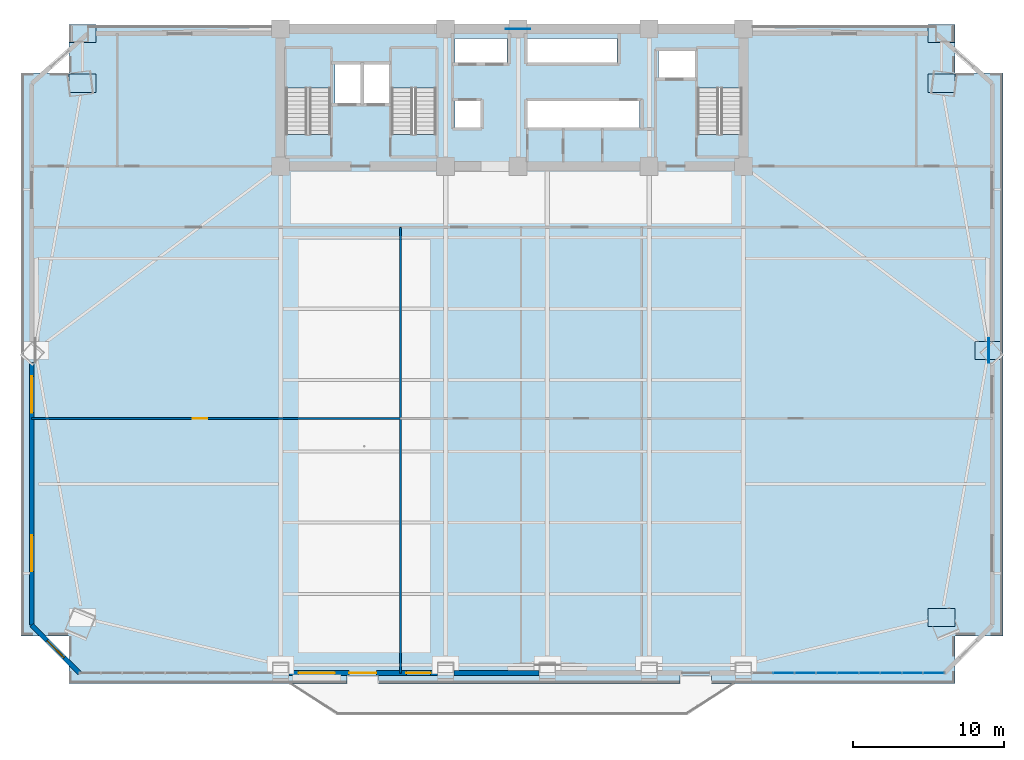
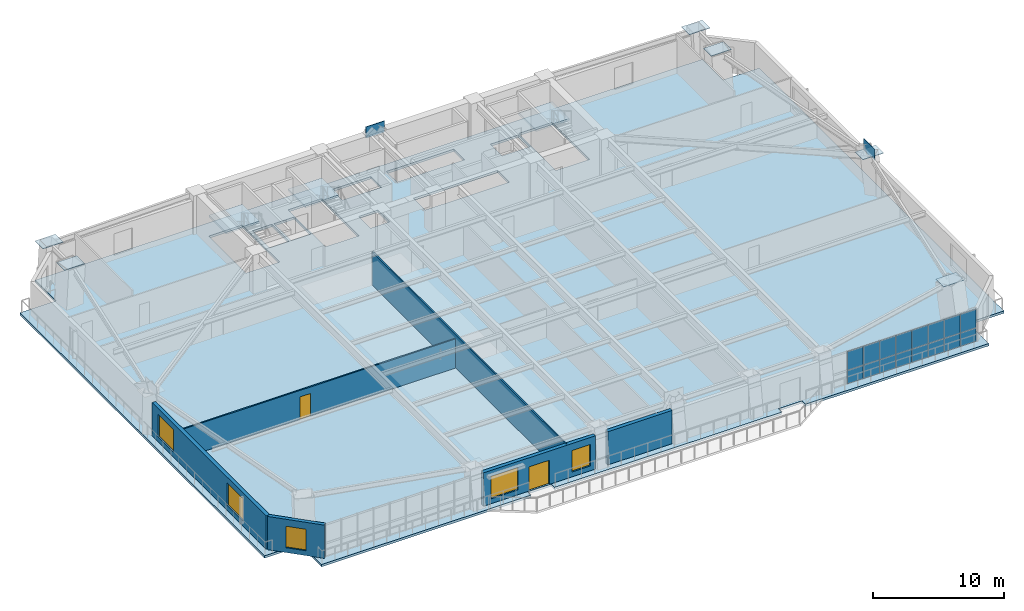
# One storey, part 8 of 17: 24 plates, 6 walls, 5 windows, 4 slabs, 2 doors, 7 openings, 4 elements without a shape of their own.
"""IFC4 building model written with IfcOpenShell, lengths in metres."""

from ifc_helpers import new_model, si_unit, direction, frame, frame_2d, origin, origin_2d, place, context, subcontext, project, spatial, polyline, rectangle, outline, extrude, source, transform, mapped, material, layer, layer_set, type_object, element, fill, aggregate, save


model = new_model("IFC4")

# Units and contexts
model_context = context("Model", 3, precision=1e-05, world=origin(), true_north=direction((0.0, 1.0)))
body_context = subcontext(model_context, "Body", "Model", "MODEL_VIEW")
ifc_project = project(units=[si_unit("LENGTHUNIT", "METRE"), si_unit("AREAUNIT", "SQUARE_METRE"), si_unit("VOLUMEUNIT", "CUBIC_METRE"), si_unit("PLANEANGLEUNIT", "RADIAN"), si_unit("MASSUNIT", "GRAM", prefix="KILO")], contexts=[model_context])

# Site, building, storey
site_placement = place(None, origin())
site = spatial("IfcSite", under=ifc_project, at=site_placement, CompositionType="ELEMENT")
building_placement = place(site_placement, origin())
building = spatial("IfcBuilding", under=site, at=building_placement, Name="Giltprow Tower", CompositionType="ELEMENT")
storey_placement = place(building_placement, frame((0.0, 0.0, 44.89990234375)))
storey = spatial("IfcBuildingStorey", under=building, at=storey_placement, Name="L11", CompositionType="ELEMENT", Elevation=44.89990234375)

# Slab
ifc_material_1 = material(Name="Concrete C40", Category="concrete")
ifc_layer_1 = layer(ifc_material_1, 0.219970703125, Name="Concrete C40")
ifc_layer_set_1 = layer_set([ifc_layer_1], Name="Concrete C40")
slab_type_1 = type_object("IfcSlabType", Name="SLB-OFF-220", PredefinedType="FLOOR", material=ifc_layer_set_1)
slab_1_placement = place(storey_placement, frame((0.0, 0.0, -0.219970703125)))
element("IfcSlab", 1, at=slab_1_placement, inside=storey, type_object=slab_type_1, Name="L11 Structural Composite Floor Slab", PredefinedType="FLOOR", context=body_context, shape_type="SweptSolid", body=[
    extrude(outline(polyline([(5.80908203125, 3.126953125), (5.80908203125, 6.300048828125), (2.635009765625, 6.300048828125), (2.635009765625, 43.6259765625), (5.80908203125, 43.6259765625), (5.80908203125, 46.800048828125), (64.591064453125, 46.800048828125), (64.591064453125, 43.6259765625), (67.764892578125, 43.6259765625), (67.764892578125, 6.300048828125), (64.591064453125, 6.300048828125), (64.591064453125, 3.126953125), (48.449951171875, 3.126953125), (48.449951171875, 3.64697265625), (46.35009765625, 3.64697265625), (46.35009765625, 3.126953125), (26.35009765625, 3.126953125), (26.35009765625, 3.64697265625), (24.25, 3.64697265625), (24.25, 3.126953125), (5.80908203125, 3.126953125)]), holes=[polyline([(33.10009765625, 41.800048828125), (31.419921875, 41.800048828125), (31.419921875, 40.0), (33.10009765625, 40.0), (33.10009765625, 41.800048828125)]), polyline([(23.159912109375, 39.570068359375), (23.159912109375, 45.25), (20.199951171875, 45.25), (20.199951171875, 39.570068359375), (23.159912109375, 39.570068359375)]), polyline([(30.159912109375, 45.25), (27.199951171875, 45.25), (27.199951171875, 39.570068359375), (30.159912109375, 39.570068359375), (30.159912109375, 45.25)]), polyline([(25.169921875, 41.60009765625), (25.169921875, 44.199951171875), (23.449951171875, 44.199951171875), (23.449951171875, 41.60009765625), (25.169921875, 41.60009765625)]), polyline([(27.10009765625, 41.60009765625), (27.10009765625, 44.199951171875), (25.35009765625, 44.199951171875), (25.35009765625, 41.60009765625), (27.10009765625, 41.60009765625)]), polyline([(43.659912109375, 40.0), (43.659912109375, 41.800048828125), (36.239990234375, 41.800048828125), (36.239990234375, 40.0), (43.659912109375, 40.0)]), polyline([(50.4599609375, 39.570068359375), (50.4599609375, 45.25), (47.5, 45.25), (47.5, 39.570068359375), (50.4599609375, 39.570068359375)]), polyline([(47.3798828125, 45.10009765625), (44.919921875, 45.10009765625), (44.919921875, 43.300048828125), (47.3798828125, 43.300048828125), (47.3798828125, 45.10009765625)]), polyline([(34.8798828125, 44.300048828125), (34.8798828125, 45.919921875), (31.419921875, 45.919921875), (31.419921875, 44.300048828125), (34.8798828125, 44.300048828125)]), polyline([(42.169921875, 44.300048828125), (42.169921875, 45.919921875), (36.239990234375, 45.919921875), (36.239990234375, 44.300048828125), (42.169921875, 44.300048828125)])]), origin(), (0.0, 0.0, 1.0), 0.219970703125),
])

# Stair, slab
stair_type_1 = type_object("IfcStairType", Name="STR-ST-1", PredefinedType="HALF_TURN_STAIR", material=ifc_material_1)
stair_1_placement = place(storey_placement, origin())
stair_1 = element("IfcStair", 2, at=stair_1_placement, inside=storey, type_object=stair_type_1, Name="L11 Core Exit Stair ST-1", PredefinedType="HALF_TURN_STAIR")
ifc_layer_2 = layer(ifc_material_1, 0.179931640625, Name="Concrete C40")
ifc_layer_set_2 = layer_set([ifc_layer_2], Name="Concrete C40")
slab_type_2 = type_object("IfcSlabType", Name="SLD-ST-1", PredefinedType="LANDING", material=ifc_layer_set_2)
slab_2_placement = place(storey_placement, frame((0.0, 0.0, 1.77001953125)))
slab_2 = element("IfcSlab", 3, at=slab_2_placement, type_object=slab_type_2, Name="ST-1 landing 1", PredefinedType="LANDING", context=body_context, shape_type="SweptSolid", body=[
    extrude(outline(polyline([(23.159912109375, 42.6298828125), (23.159912109375, 45.25), (20.199951171875, 45.25), (20.199951171875, 42.6298828125), (23.159912109375, 42.6298828125)])), origin(), (0.0, 0.0, 1.0), 0.18017578125),
])
aggregate(stair_1, [slab_2])

stair_type_2 = type_object("IfcStairType", Name="STR-ST-2", PredefinedType="HALF_TURN_STAIR", material=ifc_material_1)
stair_2_placement = place(storey_placement, origin())
stair_2 = element("IfcStair", 4, at=stair_2_placement, inside=storey, type_object=stair_type_2, Name="L11 Core Exit Stair ST-2", PredefinedType="HALF_TURN_STAIR")
ifc_layer_3 = layer(ifc_material_1, 0.18798828125, Name="Concrete C40")
ifc_layer_set_3 = layer_set([ifc_layer_3], Name="Concrete C40")
slab_type_3 = type_object("IfcSlabType", Name="SLD-ST-2", PredefinedType="LANDING", material=ifc_layer_set_3)
slab_3_placement = place(storey_placement, frame((0.0, 0.0, 1.76220703125)))
slab_3 = element("IfcSlab", 5, at=slab_3_placement, type_object=slab_type_3, Name="ST-2 landing 1", PredefinedType="LANDING", context=body_context, shape_type="SweptSolid", body=[
    extrude(outline(polyline([(30.159912109375, 42.6298828125), (30.159912109375, 45.25), (27.199951171875, 45.25), (27.199951171875, 42.6298828125), (30.159912109375, 42.6298828125)])), origin(), (0.0, 0.0, 1.0), 0.18798828125),
])
aggregate(stair_2, [slab_3])

stair_type_3 = type_object("IfcStairType", Name="STR-ST-3", PredefinedType="HALF_TURN_STAIR", material=ifc_material_1)
stair_3_placement = place(storey_placement, origin())
stair_3 = element("IfcStair", 6, at=stair_3_placement, inside=storey, type_object=stair_type_3, Name="L11 Core Exit Stair ST-3", PredefinedType="HALF_TURN_STAIR")
ifc_layer_4 = layer(ifc_material_1, 0.196044921875, Name="Concrete C40")
ifc_layer_set_4 = layer_set([ifc_layer_4], Name="Concrete C40")
slab_type_4 = type_object("IfcSlabType", Name="SLD-ST-3", PredefinedType="LANDING", material=ifc_layer_set_4)
slab_4_placement = place(storey_placement, frame((0.0, 0.0, 1.754150390625)))
slab_4 = element("IfcSlab", 7, at=slab_4_placement, type_object=slab_type_4, Name="ST-3 landing 1", PredefinedType="LANDING", context=body_context, shape_type="SweptSolid", body=[
    extrude(outline(polyline([(50.4599609375, 42.6298828125), (50.4599609375, 45.25), (47.5, 45.25), (47.5, 42.6298828125), (50.4599609375, 42.6298828125)])), origin(), (0.0, 0.0, 1.0), 0.196044921875),
])
aggregate(stair_3, [slab_4])

# Plates
ifc_material_2 = material(Name="Structural steel Q420GJC", Category="steel")
plate_type_1 = type_object("IfcPlateType", Name="PLT-NODE-CKN1", PredefinedType="USERDEFINED", material=ifc_material_2)
shared_shape_1 = source(origin(), body_context, "Body", "SweptSolid", [
    extrude(rectangle(XDim=1.800048828125, YDim=1.199951171875, at=origin_2d()), origin(), (0.0, 0.0, 1.0), 0.044921875),
])
for number, where, z_axis, x_axis, name in (
    (8, (63.681884765625, 7.501953125, 3.57763671875), (0.0, 0.0, 1.0), (1.0, 0.0, 0.0), "CKN1 Column Taper Splice Node L11-MC_SE"),
    (9, (6.718017578125, 42.951904296875, 3.57763671875), (0.0, 0.0, 1.0), (1.0, 0.0, 0.0), "CKN1 Column Taper Splice Node L11-MC_NW"),
    (10, (63.681884765625, 42.951904296875, 3.57763671875), (0.0, 0.0, 1.0), (1.0, 0.0, 0.0), "CKN1 Column Taper Splice Node L11-MC_NE"),
    (11, (66.830078125, 25.22705078125, 3.57763671875), (0.0, 0.0, 1.0), (1.0, 0.0, 0.0), "CKN1 Column Taper Splice Node L11-E_MID"),
    (12, (6.718017578125, 46.25, 3.57763671875), (0.0, 0.0, 1.0), (1.0, 0.0, 0.0), "CKN1 Column Taper Splice Node L11-N_W"),
    (13, (63.681884765625, 46.25, 3.57763671875), (0.0, 0.0, 1.0), (1.0, 0.0, 0.0), "CKN1 Column Taper Splice Node L11-N_E"),
):
    element("IfcPlate", number, at=place(storey_placement, frame(where, z_axis=z_axis, x_axis=x_axis)), inside=storey, type_object=plate_type_1, Name=name, ObjectType="SPLICE", PredefinedType="USERDEFINED", context=body_context, shape_type="MappedRepresentation", body=[
        mapped(shared_shape_1, transform((0.0, 0.0, 0.0), x_axis=(1.0, 0.0, 0.0), y_axis=(0.0, 1.0, 0.0), z_axis=(0.0, 0.0, 1.0), scale=1.0)),
    ])
plate_type_2 = type_object("IfcPlateType", Name="PLT-NODE-MBN2", PredefinedType="USERDEFINED", material=ifc_material_2)
shared_shape_2 = source(origin(), body_context, "Body", "SweptSolid", [
    extrude(rectangle(XDim=1.64990234375, YDim=0.044921875, at=origin_2d()), origin(), (0.0, 0.0, 1.0), 1.050048828125),
])
for number, where, z_axis, x_axis, name in (
    (14, (35.60009765625, 46.550048828125, 3.23486328125), (0.0, 0.0, 1.0), (1.0, 0.0, 0.0), "Mega-Brace Node L11-N-LB"),
    (15, (66.830078125, 25.22705078125, 3.375), (0.0, 0.0, 1.0), (0.0, 1.0, 0.0), "Mega-Brace Node L11-E-RB"),
):
    element("IfcPlate", number, at=place(storey_placement, frame(where, z_axis=z_axis, x_axis=x_axis)), inside=storey, type_object=plate_type_2, Name=name, ObjectType="GUSSET", PredefinedType="USERDEFINED", context=body_context, shape_type="MappedRepresentation", body=[
        mapped(shared_shape_2, transform((0.0, 0.0, 0.0), x_axis=(1.0, 0.0, 0.0), y_axis=(0.0, 1.0, 0.0), z_axis=(0.0, 0.0, 1.0), scale=1.0)),
    ])

# Curtain wall, plates
ifc_material_3 = material(Name="Anodized bronze", Category="metal")
ifc_layer_5 = layer(ifc_material_3, 0.179931640625, Name="Anodized bronze")
ifc_layer_set_5 = layer_set([ifc_layer_5], Name="Anodized bronze")
curtain_wall_type = type_object("IfcCurtainWallType", Name="CW-OFF-RECESSED", PredefinedType="NOTDEFINED", material=ifc_layer_set_5)
curtain_wall_placement = place(storey_placement, origin())
curtain_wall = element("IfcCurtainWall", 16, at=curtain_wall_placement, inside=storey, type_object=curtain_wall_type, Name="L11 South Recessed Curtain Wall 6", PredefinedType="NOTDEFINED")
ifc_material_4 = material(Name="Insulated glass", Category="glass")
plate_type_3 = type_object("IfcPlateType", Name="CW-PANEL-IGU-28", PredefinedType="CURTAIN_PANEL", material=ifc_material_4)
shared_shape_3 = source(origin(), body_context, "Body", "SweptSolid", [
    extrude(rectangle(XDim=1.39111328125, YDim=0.028076171875, at=origin_2d()), origin(), (0.0, 0.0, 1.0), 1.23388671875),
])
plate_1_placement = place(storey_placement, frame((53.23193359375, 3.826904296875, 0.05419921875), z_axis=(0.0, 0.0, 1.0), x_axis=(1.0, 0.0, 0.0)))
plate_1 = element("IfcPlate", 17, at=plate_1_placement, type_object=plate_type_3, Name="L11 South Recessed Curtain Wall 6 Glazing Panel 2-1", PredefinedType="CURTAIN_PANEL", context=body_context, shape_type="MappedRepresentation", body=[
    mapped(shared_shape_3, transform((0.0, 0.0, 0.0), x_axis=(1.0, 0.0, 0.0), y_axis=(0.0, 1.0, 0.0), z_axis=(0.0, 0.0, 1.0), scale=1.0)),
])
plate_2_placement = place(storey_placement, frame((54.653076171875, 3.826904296875, 0.05419921875), z_axis=(0.0, 0.0, 1.0), x_axis=(1.0, 0.0, 0.0)))
plate_2 = element("IfcPlate", 18, at=plate_2_placement, type_object=plate_type_3, Name="L11 South Recessed Curtain Wall 6 Glazing Panel 3-1", PredefinedType="CURTAIN_PANEL", context=body_context, shape_type="MappedRepresentation", body=[
    mapped(shared_shape_3, transform((0.0, 0.0, 0.0), x_axis=(1.0, 0.0, 0.0), y_axis=(0.0, 1.0, 0.0), z_axis=(0.0, 0.0, 1.0), scale=1.0)),
])
plate_3_placement = place(storey_placement, frame((56.073974609375, 3.826904296875, 0.05419921875), z_axis=(0.0, 0.0, 1.0), x_axis=(1.0, 0.0, 0.0)))
plate_3 = element("IfcPlate", 19, at=plate_3_placement, type_object=plate_type_3, Name="L11 South Recessed Curtain Wall 6 Glazing Panel 4-1", PredefinedType="CURTAIN_PANEL", context=body_context, shape_type="MappedRepresentation", body=[
    mapped(shared_shape_3, transform((0.0, 0.0, 0.0), x_axis=(1.0, 0.0, 0.0), y_axis=(0.0, 1.0, 0.0), z_axis=(0.0, 0.0, 1.0), scale=1.0)),
])
plate_4_placement = place(storey_placement, frame((57.4951171875, 3.826904296875, 0.05419921875), z_axis=(0.0, 0.0, 1.0), x_axis=(1.0, 0.0, 0.0)))
plate_4 = element("IfcPlate", 20, at=plate_4_placement, type_object=plate_type_3, Name="L11 South Recessed Curtain Wall 6 Glazing Panel 5-1", PredefinedType="CURTAIN_PANEL", context=body_context, shape_type="MappedRepresentation", body=[
    mapped(shared_shape_3, transform((0.0, 0.0, 0.0), x_axis=(1.0, 0.0, 0.0), y_axis=(0.0, 1.0, 0.0), z_axis=(0.0, 0.0, 1.0), scale=1.0)),
])
plate_5_placement = place(storey_placement, frame((58.9169921875, 3.826904296875, 0.05419921875), z_axis=(0.0, 0.0, 1.0), x_axis=(1.0, 0.0, 0.0)))
plate_5 = element("IfcPlate", 21, at=plate_5_placement, type_object=plate_type_3, Name="L11 South Recessed Curtain Wall 6 Glazing Panel 6-1", PredefinedType="CURTAIN_PANEL", context=body_context, shape_type="MappedRepresentation", body=[
    mapped(shared_shape_3, transform((0.0, 0.0, 0.0), x_axis=(1.0, 0.0, 0.0), y_axis=(0.0, 1.0, 0.0), z_axis=(0.0, 0.0, 1.0), scale=1.0)),
])
plate_6_placement = place(storey_placement, frame((60.337890625, 3.826904296875, 0.05419921875), z_axis=(0.0, 0.0, 1.0), x_axis=(1.0, 0.0, 0.0)))
plate_6 = element("IfcPlate", 22, at=plate_6_placement, type_object=plate_type_3, Name="L11 South Recessed Curtain Wall 6 Glazing Panel 7-1", PredefinedType="CURTAIN_PANEL", context=body_context, shape_type="MappedRepresentation", body=[
    mapped(shared_shape_3, transform((0.0, 0.0, 0.0), x_axis=(1.0, 0.0, 0.0), y_axis=(0.0, 1.0, 0.0), z_axis=(0.0, 0.0, 1.0), scale=1.0)),
])
plate_7_placement = place(storey_placement, frame((61.759033203125, 3.826904296875, 0.05419921875), z_axis=(0.0, 0.0, 1.0), x_axis=(1.0, 0.0, 0.0)))
plate_7 = element("IfcPlate", 23, at=plate_7_placement, type_object=plate_type_3, Name="L11 South Recessed Curtain Wall 6 Glazing Panel 8-1", PredefinedType="CURTAIN_PANEL", context=body_context, shape_type="MappedRepresentation", body=[
    mapped(shared_shape_3, transform((0.0, 0.0, 0.0), x_axis=(1.0, 0.0, 0.0), y_axis=(0.0, 1.0, 0.0), z_axis=(0.0, 0.0, 1.0), scale=1.0)),
])
plate_8_placement = place(storey_placement, frame((63.179931640625, 3.826904296875, 0.05419921875), z_axis=(0.0, 0.0, 1.0), x_axis=(1.0, 0.0, 0.0)))
plate_8 = element("IfcPlate", 24, at=plate_8_placement, type_object=plate_type_3, Name="L11 South Recessed Curtain Wall 6 Glazing Panel 9-1", PredefinedType="CURTAIN_PANEL", context=body_context, shape_type="MappedRepresentation", body=[
    mapped(shared_shape_3, transform((0.0, 0.0, 0.0), x_axis=(1.0, 0.0, 0.0), y_axis=(0.0, 1.0, 0.0), z_axis=(0.0, 0.0, 1.0), scale=1.0)),
])
shared_shape_4 = source(origin(), body_context, "Body", "SweptSolid", [
    extrude(rectangle(XDim=1.39111328125, YDim=0.028076171875, at=origin_2d()), origin(), (0.0, 0.0, 1.0), 1.72998046875),
])
plate_9_placement = place(storey_placement, frame((53.23193359375, 3.826904296875, 1.316162109375), z_axis=(0.0, 0.0, 1.0), x_axis=(1.0, 0.0, 0.0)))
plate_9 = element("IfcPlate", 25, at=plate_9_placement, type_object=plate_type_3, Name="L11 South Recessed Curtain Wall 6 Glazing Panel 2-2", PredefinedType="CURTAIN_PANEL", context=body_context, shape_type="MappedRepresentation", body=[
    mapped(shared_shape_4, transform((0.0, 0.0, 0.0), x_axis=(1.0, 0.0, 0.0), y_axis=(0.0, 1.0, 0.0), z_axis=(0.0, 0.0, 1.0), scale=1.0)),
])
plate_10_placement = place(storey_placement, frame((54.653076171875, 3.826904296875, 1.316162109375), z_axis=(0.0, 0.0, 1.0), x_axis=(1.0, 0.0, 0.0)))
plate_10 = element("IfcPlate", 26, at=plate_10_placement, type_object=plate_type_3, Name="L11 South Recessed Curtain Wall 6 Glazing Panel 3-2", PredefinedType="CURTAIN_PANEL", context=body_context, shape_type="MappedRepresentation", body=[
    mapped(shared_shape_4, transform((0.0, 0.0, 0.0), x_axis=(1.0, 0.0, 0.0), y_axis=(0.0, 1.0, 0.0), z_axis=(0.0, 0.0, 1.0), scale=1.0)),
])
plate_11_placement = place(storey_placement, frame((56.073974609375, 3.826904296875, 1.316162109375), z_axis=(0.0, 0.0, 1.0), x_axis=(1.0, 0.0, 0.0)))
plate_11 = element("IfcPlate", 27, at=plate_11_placement, type_object=plate_type_3, Name="L11 South Recessed Curtain Wall 6 Glazing Panel 4-2", PredefinedType="CURTAIN_PANEL", context=body_context, shape_type="MappedRepresentation", body=[
    mapped(shared_shape_4, transform((0.0, 0.0, 0.0), x_axis=(1.0, 0.0, 0.0), y_axis=(0.0, 1.0, 0.0), z_axis=(0.0, 0.0, 1.0), scale=1.0)),
])
plate_12_placement = place(storey_placement, frame((57.4951171875, 3.826904296875, 1.316162109375), z_axis=(0.0, 0.0, 1.0), x_axis=(1.0, 0.0, 0.0)))
plate_12 = element("IfcPlate", 28, at=plate_12_placement, type_object=plate_type_3, Name="L11 South Recessed Curtain Wall 6 Glazing Panel 5-2", PredefinedType="CURTAIN_PANEL", context=body_context, shape_type="MappedRepresentation", body=[
    mapped(shared_shape_4, transform((0.0, 0.0, 0.0), x_axis=(1.0, 0.0, 0.0), y_axis=(0.0, 1.0, 0.0), z_axis=(0.0, 0.0, 1.0), scale=1.0)),
])
plate_13_placement = place(storey_placement, frame((58.9169921875, 3.826904296875, 1.316162109375), z_axis=(0.0, 0.0, 1.0), x_axis=(1.0, 0.0, 0.0)))
plate_13 = element("IfcPlate", 29, at=plate_13_placement, type_object=plate_type_3, Name="L11 South Recessed Curtain Wall 6 Glazing Panel 6-2", PredefinedType="CURTAIN_PANEL", context=body_context, shape_type="MappedRepresentation", body=[
    mapped(shared_shape_4, transform((0.0, 0.0, 0.0), x_axis=(1.0, 0.0, 0.0), y_axis=(0.0, 1.0, 0.0), z_axis=(0.0, 0.0, 1.0), scale=1.0)),
])
plate_14_placement = place(storey_placement, frame((60.337890625, 3.826904296875, 1.316162109375), z_axis=(0.0, 0.0, 1.0), x_axis=(1.0, 0.0, 0.0)))
plate_14 = element("IfcPlate", 30, at=plate_14_placement, type_object=plate_type_3, Name="L11 South Recessed Curtain Wall 6 Glazing Panel 7-2", PredefinedType="CURTAIN_PANEL", context=body_context, shape_type="MappedRepresentation", body=[
    mapped(shared_shape_4, transform((0.0, 0.0, 0.0), x_axis=(1.0, 0.0, 0.0), y_axis=(0.0, 1.0, 0.0), z_axis=(0.0, 0.0, 1.0), scale=1.0)),
])
plate_15_placement = place(storey_placement, frame((61.759033203125, 3.826904296875, 1.316162109375), z_axis=(0.0, 0.0, 1.0), x_axis=(1.0, 0.0, 0.0)))
plate_15 = element("IfcPlate", 31, at=plate_15_placement, type_object=plate_type_3, Name="L11 South Recessed Curtain Wall 6 Glazing Panel 8-2", PredefinedType="CURTAIN_PANEL", context=body_context, shape_type="MappedRepresentation", body=[
    mapped(shared_shape_4, transform((0.0, 0.0, 0.0), x_axis=(1.0, 0.0, 0.0), y_axis=(0.0, 1.0, 0.0), z_axis=(0.0, 0.0, 1.0), scale=1.0)),
])
plate_16_placement = place(storey_placement, frame((63.179931640625, 3.826904296875, 1.316162109375), z_axis=(0.0, 0.0, 1.0), x_axis=(1.0, 0.0, 0.0)))
plate_16 = element("IfcPlate", 32, at=plate_16_placement, type_object=plate_type_3, Name="L11 South Recessed Curtain Wall 6 Glazing Panel 9-2", PredefinedType="CURTAIN_PANEL", context=body_context, shape_type="MappedRepresentation", body=[
    mapped(shared_shape_4, transform((0.0, 0.0, 0.0), x_axis=(1.0, 0.0, 0.0), y_axis=(0.0, 1.0, 0.0), z_axis=(0.0, 0.0, 1.0), scale=1.0)),
])
aggregate(curtain_wall, [plate_1, plate_9, plate_2, plate_10, plate_3, plate_11, plate_4, plate_12, plate_5, plate_13, plate_6, plate_14, plate_7, plate_15, plate_8, plate_16])

# Wall, opening, window
ifc_material_5 = material(Name="Precast concrete C40", Category="concrete")
ifc_layer_6 = layer(ifc_material_5, 0.300048828125, Name="Precast concrete C40")
ifc_layer_set_6 = layer_set([ifc_layer_6], Name="Precast concrete C40")
wall_type_1 = type_object("IfcWallType", Name="EW-NOTCH-CHAMFER-300", PredefinedType="SOLIDWALL", material=ifc_layer_set_6)
wall_1_placement = place(storey_placement, frame((3.3349609375, 7.0009765625, 0.0), z_axis=(0.0, 0.0, 1.0), x_axis=(0.707106781187, -0.707106781187, 0.0)))
wall_1 = element("IfcWall", 33, at=wall_1_placement, inside=storey, type_object=wall_type_1, Name="L11 Corner Notch Wall SW", PredefinedType="SOLIDWALL", context=body_context, shape_type="SweptSolid", body=[
    extrude(rectangle(XDim=4.48876953125, YDim=0.300048828125, at=frame_2d((2.244384765625, 0.0))), origin(), (0.0, 0.0, 1.0), 3.10009765625),
])
opening_1_placement = place(wall_1_placement, frame((1.444091796875, 0.0, 0.449951171875)))
opening_1 = element("IfcOpeningElement", 34, at=opening_1_placement, cuts=wall_1, Name="Opening WN17", PredefinedType="OPENING", context=body_context, shape_type="SweptSolid", body=[
    extrude(rectangle(XDim=1.60009765625, YDim=2.0, at=frame_2d((0.800048828125, 1.0))), frame((0.0, 0.159912109375, 0.0), z_axis=(0.0, -1.0, 0.0), x_axis=(1.0, 0.0, 0.0)), (0.0, 0.0, 1.0), 0.320068359375),
])
window_type_1 = type_object("IfcWindowType", Name="WN-COR-1600x2000", PartitioningType="SINGLE_PANEL", PredefinedType="WINDOW", material=ifc_material_4)
shared_shape_5 = source(origin(), body_context, "Body", "SweptSolid", [
    extrude(rectangle(XDim=1.60009765625, YDim=2.0, at=frame_2d((0.800048828125, 1.0))), frame((0.0, 0.030029296875, 0.0), z_axis=(0.0, -1.0, 0.0), x_axis=(1.0, 0.0, 0.0)), (0.0, 0.0, 1.0), 0.06005859375),
])
window_1_placement = place(opening_1_placement, origin())
window_1 = element("IfcWindow", 35, at=window_1_placement, inside=storey, type_object=window_type_1, Name="L11 Corner Notch Window SW", OverallHeight=2.0, OverallWidth=1.60009765625, PartitioningType="SINGLE_PANEL", PredefinedType="WINDOW", context=body_context, shape_type="MappedRepresentation", body=[
    mapped(shared_shape_5, transform((0.0, 0.0, 0.0), x_axis=(1.0, 0.0, 0.0), y_axis=(0.0, 1.0, 0.0), z_axis=(0.0, 0.0, 1.0), scale=1.0)),
])
fill(opening_1, window_1)

# Wall, openings, windows, door
ifc_layer_7 = layer(ifc_material_5, 0.320068359375, Name="Precast concrete C40")
ifc_layer_set_7 = layer_set([ifc_layer_7], Name="Precast concrete C40")
wall_type_2 = type_object("IfcWallType", Name="EW-TOW-STONE-320", PredefinedType="SOLIDWALL", material=ifc_layer_set_7)
wall_2_placement = place(storey_placement, frame((20.39990234375, 3.826904296875, 0.0), z_axis=(0.0, 0.0, 1.0), x_axis=(1.0, 0.0, 0.0)))
wall_2 = element("IfcWall", 36, at=wall_2_placement, inside=storey, type_object=wall_type_2, Name="L11 South Expressed Frame Wall 2", PredefinedType="SOLIDWALL", context=body_context, shape_type="SweptSolid", body=[
    extrude(rectangle(XDim=9.85009765625, YDim=0.320068359375, at=frame_2d((4.925048828125, 0.0))), origin(), (0.0, 0.0, 1.0), 3.10009765625),
])
opening_2_placement = place(wall_2_placement, frame((4.0, 0.0, 0.0)))
opening_2 = element("IfcOpeningElement", 37, at=opening_2_placement, cuts=wall_2, Name="Opening ED25", PredefinedType="OPENING", context=body_context, shape_type="SweptSolid", body=[
    extrude(rectangle(XDim=1.800048828125, YDim=2.25, at=frame_2d((0.89990234375, 1.125))), frame((0.0, 0.169921875, 0.0), z_axis=(0.0, -1.0, 0.0), x_axis=(1.0, 0.0, 0.0)), (0.0, 0.0, 1.0), 0.340087890625),
])
opening_3_placement = place(wall_2_placement, frame((0.64990234375, 0.0, 0.449951171875)))
opening_3 = element("IfcOpeningElement", 38, at=opening_3_placement, cuts=wall_2, Name="Opening WN29", PredefinedType="OPENING", context=body_context, shape_type="SweptSolid", body=[
    extrude(rectangle(XDim=2.39990234375, YDim=2.10009765625, at=frame_2d((1.199951171875, 1.050048828125))), frame((0.0, 0.169921875, 0.0), z_axis=(0.0, -1.0, 0.0), x_axis=(1.0, 0.0, 0.0)), (0.0, 0.0, 1.0), 0.340087890625),
])
opening_4_placement = place(wall_2_placement, frame((7.800048828125, 0.0, 0.449951171875)))
opening_4 = element("IfcOpeningElement", 39, at=opening_4_placement, cuts=wall_2, Name="Opening WN17", PredefinedType="OPENING", context=body_context, shape_type="SweptSolid", body=[
    extrude(rectangle(XDim=1.60009765625, YDim=2.0, at=frame_2d((0.800048828125, 1.0))), frame((0.0, 0.169921875, 0.0), z_axis=(0.0, -1.0, 0.0), x_axis=(1.0, 0.0, 0.0)), (0.0, 0.0, 1.0), 0.340087890625),
])
window_type_2 = type_object("IfcWindowType", Name="WN-OFF-2400x2100", PartitioningType="DOUBLE_PANEL_VERTICAL", PredefinedType="WINDOW", material=ifc_material_4)
shared_shape_6 = source(origin(), body_context, "Body", "SweptSolid", [
    extrude(rectangle(XDim=2.39990234375, YDim=2.10009765625, at=frame_2d((1.199951171875, 1.050048828125))), frame((0.0, 0.030029296875, 0.0), z_axis=(0.0, -1.0, 0.0), x_axis=(1.0, 0.0, 0.0)), (0.0, 0.0, 1.0), 0.06005859375),
])
window_2_placement = place(opening_3_placement, origin())
window_2 = element("IfcWindow", 40, at=window_2_placement, inside=storey, type_object=window_type_2, Name="L11 South Window 2A", OverallHeight=2.10009765625, OverallWidth=2.39990234375, PartitioningType="SINGLE_PANEL", PredefinedType="WINDOW", context=body_context, shape_type="MappedRepresentation", body=[
    mapped(shared_shape_6, transform((0.0, 0.0, 0.0), x_axis=(1.0, 0.0, 0.0), y_axis=(0.0, 1.0, 0.0), z_axis=(0.0, 0.0, 1.0), scale=1.0)),
])
fill(opening_3, window_2)
window_3_placement = place(opening_4_placement, origin())
window_3 = element("IfcWindow", 41, at=window_3_placement, inside=storey, type_object=window_type_1, Name="L11 South Window 2B", OverallHeight=2.0, OverallWidth=1.60009765625, PartitioningType="SINGLE_PANEL", PredefinedType="WINDOW", context=body_context, shape_type="MappedRepresentation", body=[
    mapped(shared_shape_5, transform((0.0, 0.0, 0.0), x_axis=(1.0, 0.0, 0.0), y_axis=(0.0, 1.0, 0.0), z_axis=(0.0, 0.0, 1.0), scale=1.0)),
])
fill(opening_4, window_3)
ifc_material_6 = material(Name="Anodized bronze and glass", Category="glass")
door_type_1 = type_object("IfcDoorType", Name="DR-BALC-SLIDE-1800", OperationType="SLIDING_TO_LEFT", PredefinedType="DOOR", material=ifc_material_6)
shared_shape_7 = source(origin(), body_context, "Body", "SweptSolid", [
    extrude(rectangle(XDim=1.800048828125, YDim=2.25, at=frame_2d((0.89990234375, 1.125))), frame((0.0, 0.02490234375, 0.0), z_axis=(0.0, -1.0, 0.0), x_axis=(1.0, 0.0, 0.0)), (0.0, 0.0, 1.0), 0.050048828125),
])
door_1_placement = place(opening_2_placement, origin())
door_1 = element("IfcDoor", 42, at=door_1_placement, inside=storey, type_object=door_type_1, Name="L11 Waterfront Balcony Sliding Door 1", OperationType="SLIDING_TO_LEFT", OverallHeight=2.25, OverallWidth=1.800048828125, PredefinedType="DOOR", context=body_context, shape_type="MappedRepresentation", body=[
    mapped(shared_shape_7, transform((0.0, 0.0, 0.0), x_axis=(1.0, 0.0, 0.0), y_axis=(0.0, 1.0, 0.0), z_axis=(0.0, 0.0, 1.0), scale=1.0)),
])
fill(opening_2, door_1)

# Wall
wall_3_placement = place(storey_placement, frame((31.35009765625, 3.826904296875, 0.0), z_axis=(0.0, 0.0, 1.0), x_axis=(1.0, 0.0, 0.0)))
element("IfcWall", 43, at=wall_3_placement, inside=storey, type_object=wall_type_2, Name="L11 South Expressed Frame Wall 3", PredefinedType="SOLIDWALL", context=body_context, shape_type="SweptSolid", body=[
    extrude(rectangle(XDim=5.64990234375, YDim=0.320068359375, at=frame_2d((2.824951171875, 0.0))), origin(), (0.0, 0.0, 1.0), 3.10009765625),
])

# Wall, openings, windows
wall_4_placement = place(storey_placement, frame((3.3349609375, 7.0009765625, 0.0), z_axis=(0.0, 0.0, 1.0), x_axis=(0.0, 1.0, 0.0)))
wall_4 = element("IfcWall", 44, at=wall_4_placement, inside=storey, type_object=wall_type_2, Name="L11 W Wing Masonry Wall 1", PredefinedType="SOLIDWALL", context=body_context, shape_type="SweptSolid", body=[
    extrude(rectangle(XDim=17.412109375, YDim=0.320068359375, at=frame_2d((8.7060546875, 0.0))), origin(), (0.0, 0.0, 1.0), 3.10009765625),
])
opening_5_placement = place(wall_4_placement, frame((3.56689453125, 0.0, 0.449951171875)))
opening_5 = element("IfcOpeningElement", 45, at=opening_5_placement, cuts=wall_4, Name="Opening WN29", PredefinedType="OPENING", context=body_context, shape_type="SweptSolid", body=[
    extrude(rectangle(XDim=2.39990234375, YDim=2.10009765625, at=frame_2d((1.199951171875, 1.050048828125))), frame((0.0, 0.169921875, 0.0), z_axis=(0.0, -1.0, 0.0), x_axis=(1.0, 0.0, 0.0)), (0.0, 0.0, 1.0), 0.340087890625),
])
opening_6_placement = place(wall_4_placement, frame((14.10693359375, 0.0, 0.449951171875)))
opening_6 = element("IfcOpeningElement", 46, at=opening_6_placement, cuts=wall_4, Name="Opening WN29", PredefinedType="OPENING", context=body_context, shape_type="SweptSolid", body=[
    extrude(rectangle(XDim=2.39990234375, YDim=2.10009765625, at=frame_2d((1.199951171875, 1.050048828125))), frame((0.0, 0.169921875, 0.0), z_axis=(0.0, -1.0, 0.0), x_axis=(1.0, 0.0, 0.0)), (0.0, 0.0, 1.0), 0.340087890625),
])
window_4_placement = place(opening_5_placement, origin())
window_4 = element("IfcWindow", 47, at=window_4_placement, inside=storey, type_object=window_type_2, Name="L11 W Wing Window 1-1A", OverallHeight=2.10009765625, OverallWidth=2.39990234375, PartitioningType="SINGLE_PANEL", PredefinedType="WINDOW", context=body_context, shape_type="MappedRepresentation", body=[
    mapped(shared_shape_6, transform((0.0, 0.0, 0.0), x_axis=(1.0, 0.0, 0.0), y_axis=(0.0, 1.0, 0.0), z_axis=(0.0, 0.0, 1.0), scale=1.0)),
])
fill(opening_5, window_4)
window_5_placement = place(opening_6_placement, origin())
window_5 = element("IfcWindow", 48, at=window_5_placement, inside=storey, type_object=window_type_2, Name="L11 W Wing Window 1-1B", OverallHeight=2.10009765625, OverallWidth=2.39990234375, PartitioningType="SINGLE_PANEL", PredefinedType="WINDOW", context=body_context, shape_type="MappedRepresentation", body=[
    mapped(shared_shape_6, transform((0.0, 0.0, 0.0), x_axis=(1.0, 0.0, 0.0), y_axis=(0.0, 1.0, 0.0), z_axis=(0.0, 0.0, 1.0), scale=1.0)),
])
fill(opening_6, window_5)

# Wall, opening, door
ifc_material_7 = material(Name="Gypsum stud partition", Category="gypsum")
ifc_layer_8 = layer(ifc_material_7, 0.1201171875, Name="Gypsum stud partition")
ifc_layer_set_8 = layer_set([ifc_layer_8], Name="Gypsum stud partition")
wall_type_3 = type_object("IfcWallType", Name="IW-ROOM-120", PredefinedType="PARTITIONING", material=ifc_layer_set_8)
wall_5_placement = place(storey_placement, frame((3.3349609375, 20.7080078125, 0.0), z_axis=(0.0, 0.0, 1.0), x_axis=(1.0, 0.0, 0.0)))
wall_5 = element("IfcWall", 49, at=wall_5_placement, inside=storey, type_object=wall_type_3, Name="L11 Office Mid Wall 1", PredefinedType="PARTITIONING", context=body_context, shape_type="SweptSolid", body=[
    extrude(rectangle(XDim=24.465087890625, YDim=0.1201171875, at=frame_2d((12.232421875, 0.0))), origin(), (0.0, 0.0, 1.0), 2.705078125),
])
opening_7_placement = place(wall_5_placement, frame((10.68994140625, 0.0, 0.0)))
opening_7 = element("IfcOpeningElement", 50, at=opening_7_placement, cuts=wall_5, Name="Opening ID11", PredefinedType="OPENING", context=body_context, shape_type="SweptSolid", body=[
    extrude(rectangle(XDim=0.949951171875, YDim=2.10009765625, at=frame_2d((0.47509765625, 1.050048828125))), frame((0.0, 0.070068359375, 0.0), z_axis=(0.0, -1.0, 0.0), x_axis=(1.0, 0.0, 0.0)), (0.0, 0.0, 1.0), 0.14013671875),
])
ifc_material_8 = material(Name="Engineered timber", Category="wood")
door_type_2 = type_object("IfcDoorType", Name="DR-ROOM-950", OperationType="SINGLE_SWING_RIGHT", PredefinedType="DOOR", material=ifc_material_8)
shared_shape_8 = source(origin(), body_context, "Body", "SweptSolid", [
    extrude(rectangle(XDim=0.949951171875, YDim=2.10009765625, at=frame_2d((0.47509765625, 1.050048828125))), frame((0.0, 0.02490234375, 0.0), z_axis=(0.0, -1.0, 0.0), x_axis=(1.0, 0.0, 0.0)), (0.0, 0.0, 1.0), 0.050048828125),
])
door_2_placement = place(opening_7_placement, origin())
door_2 = element("IfcDoor", 51, at=door_2_placement, inside=storey, type_object=door_type_2, Name="L11 Records Archive Store 1 Inner Door", OperationType="SINGLE_SWING_LEFT", OverallHeight=2.10009765625, OverallWidth=0.949951171875, PredefinedType="DOOR", context=body_context, shape_type="MappedRepresentation", body=[
    mapped(shared_shape_8, transform((0.0, 0.0, 0.0), x_axis=(1.0, 0.0, 0.0), y_axis=(0.0, 1.0, 0.0), z_axis=(0.0, 0.0, 1.0), scale=1.0)),
])
fill(opening_7, door_2)

# Wall
wall_6_placement = place(storey_placement, frame((27.800048828125, 3.826904296875, 0.0), z_axis=(0.0, 0.0, 1.0), x_axis=(0.0, 1.0, 0.0)))
element("IfcWall", 52, at=wall_6_placement, inside=storey, type_object=wall_type_3, Name="L11 Office Partition 1", PredefinedType="PARTITIONING", context=body_context, shape_type="SweptSolid", body=[
    extrude(rectangle(XDim=29.572998046875, YDim=0.1201171875, at=frame_2d((14.78662109375, 0.0))), origin(), (0.0, 0.0, 1.0), 3.10498046875),
])

save(model, "model.ifc")
